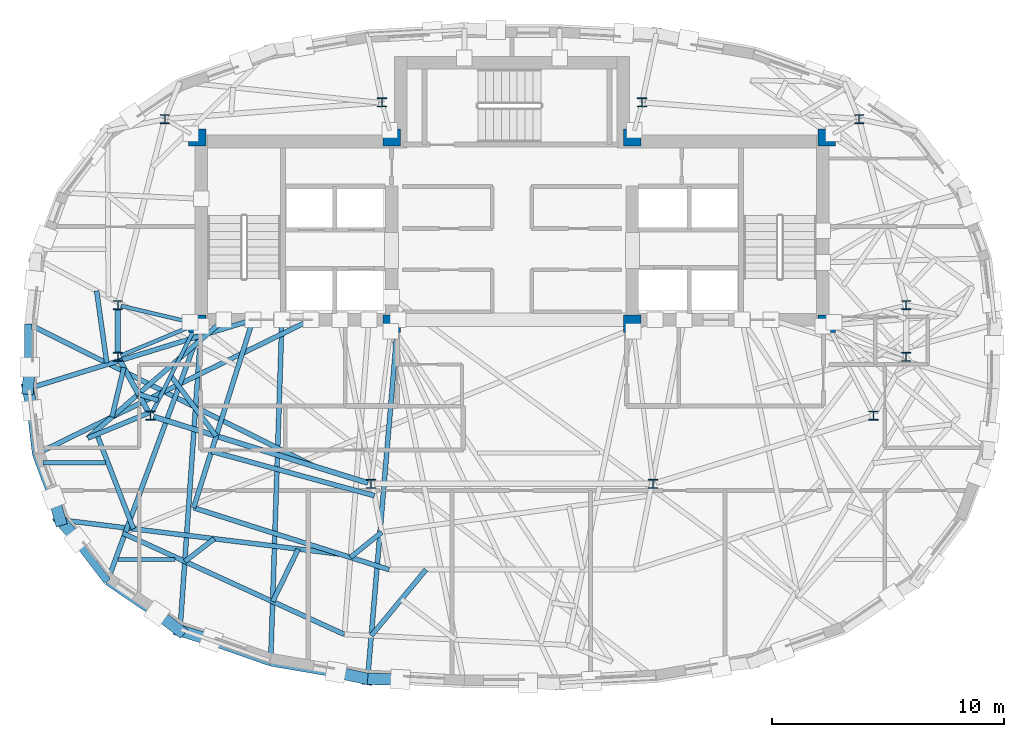
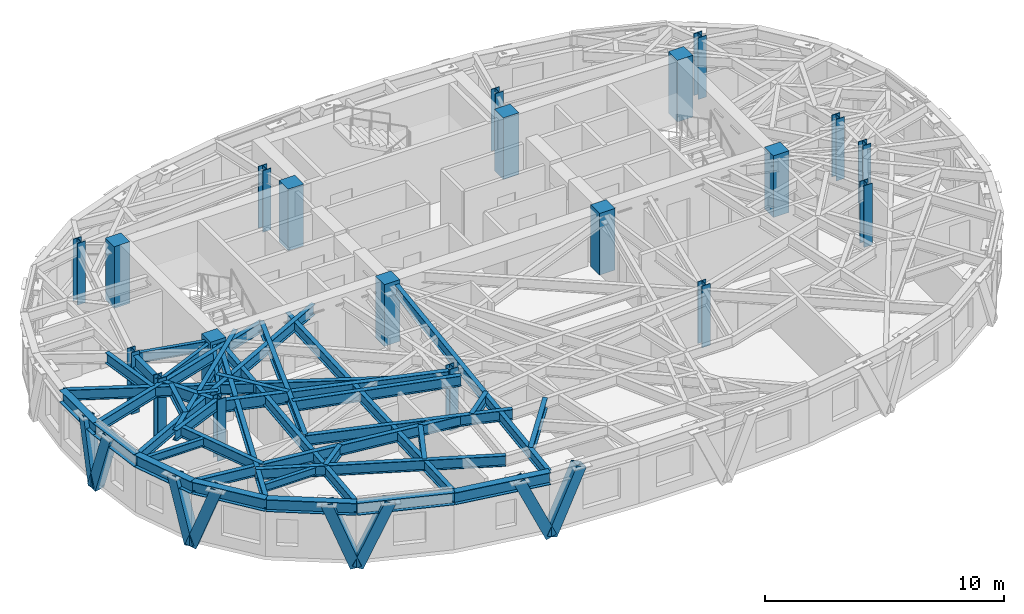
# One storey, part 1 of 12: 38 beams, 20 columns, 8 members.
"""IFC4 building model written with IfcOpenShell, lengths in metres."""

import ifcopenshell
import ifcopenshell.guid

model = None  # the IFC model being written
_history = None  # IfcOwnerHistory: only IFC2X3 demands one
_inside = {}  # id of a spatial element -> (the spatial element, [elements in it])
_under = {}  # id of a project, library or spatial element -> (it, [spatial elements below it])
_declared = {}  # id of a project -> (the project, [libraries it declares])
_typed = {}  # id of a type object -> (the type object, [elements of that type])
_made_of = {}  # id of a material, layer set ... -> (it, [elements and type objects made of it])


def new_model(schema):
    """Start an empty IFC model of exactly this schema.

    Asked for "IFC4X3", IfcOpenShell would pick the latest addendum, in which some entities
    have other attributes; the version numbers below select the first issue.
    IFC2X3 requires an IfcOwnerHistory on every rooted entity: one is made here for all.
    """
    global model, _history
    if schema == "IFC4X3":
        model = ifcopenshell.file(schema_version=(4, 3, 0, 0))
    else:
        model = ifcopenshell.file(schema=schema)
    _inside.clear()
    _under.clear()
    _declared.clear()
    _typed.clear()
    _made_of.clear()
    _history = None
    if model.schema == "IFC2X3":
        org = make("IfcOrganization", Name="unknown")
        user = make(
            "IfcPersonAndOrganization",
            ThePerson=make("IfcPerson", FamilyName="unknown"),
            TheOrganization=org,
        )
        app = make(
            "IfcApplication",
            ApplicationDeveloper=org,
            Version="unknown",
            ApplicationFullName="unknown",
            ApplicationIdentifier="unknown",
        )
        _history = make(
            "IfcOwnerHistory",
            OwningUser=user,
            OwningApplication=app,
            ChangeAction="ADDED",
            CreationDate=0,
        )
    return model


def make(cls, **values):
    """One entity of the class cls with the attributes given. An attribute that is None is left unset."""
    return model.create_entity(
        cls, **{name: value for name, value in values.items() if value is not None}
    )


def rooted(cls, **values):
    """An entity with a GlobalId (a new one), such as an element, a storey or a relation."""
    return make(cls, GlobalId=ifcopenshell.guid.new(), OwnerHistory=_history, **values)


def si_unit(unit_type, name, prefix=None):
    """IfcSIUnit, for example si_unit("LENGTHUNIT", "METRE", prefix="MILLI")."""
    return make("IfcSIUnit", UnitType=unit_type, Prefix=prefix, Name=name)


def assignment(units):
    """IfcUnitAssignment: the units of a project."""
    return None if units is None else make("IfcUnitAssignment", Units=units)


def point(xyz):
    """IfcCartesianPoint."""
    return None if xyz is None else make("IfcCartesianPoint", Coordinates=xyz)


def direction(xyz):
    """IfcDirection."""
    return None if xyz is None else make("IfcDirection", DirectionRatios=xyz)


def frame(location, z_axis=None, x_axis=None):
    """IfcAxis2Placement3D, a coordinate frame: its origin and axes. An axis left out is left unset."""
    return make(
        "IfcAxis2Placement3D",
        Location=point(location),
        Axis=direction(z_axis),
        RefDirection=direction(x_axis),
    )


def frame_2d(location, x_axis=None):
    """IfcAxis2Placement2D, a coordinate frame in the plane: its origin and x axis."""
    return make(
        "IfcAxis2Placement2D", Location=point(location), RefDirection=direction(x_axis)
    )


def origin():
    """The frame at (0, 0, 0) with its axes left unset."""
    return frame((0.0, 0.0, 0.0))


def origin_2d():
    """The frame at (0, 0) in the plane with its x axis left unset."""
    return frame_2d((0.0, 0.0))


def place(relative_to, where):
    """IfcLocalPlacement: puts the frame where relative to a parent placement (None: the world)."""
    return make(
        "IfcLocalPlacement", PlacementRelTo=relative_to, RelativePlacement=where
    )


def context(
    kind, dimensions, precision=None, world=None, true_north=None, identifier=None
):
    """IfcGeometricRepresentationContext, for example the 3D "Model" context."""
    return make(
        "IfcGeometricRepresentationContext",
        ContextIdentifier=identifier,
        ContextType=kind,
        CoordinateSpaceDimension=dimensions,
        Precision=precision,
        WorldCoordinateSystem=world,
        TrueNorth=true_north,
    )


def subcontext(parent, identifier, kind, view, scale=None):
    """IfcGeometricRepresentationSubContext, for example "Body" below "Model"."""
    return make(
        "IfcGeometricRepresentationSubContext",
        ContextIdentifier=identifier,
        ContextType=kind,
        ParentContext=parent,
        TargetScale=scale,
        TargetView=view,
    )


def project(units=None, contexts=None):
    """IfcProject with its units and contexts."""
    return rooted(
        "IfcProject",
        Name="project",
        RepresentationContexts=contexts,
        UnitsInContext=assignment(units),
    )


def spatial(cls, under=None, at=None, **own):
    """A site, building, storey or space (cls), placed at a placement, below another one or the project."""
    s = rooted(cls, ObjectPlacement=at, **own)
    if under is not None:
        _under.setdefault(under.id(), (under, []))[1].append(s)
    return s


def profile(cls, at=None, kind="AREA", **sizes):
    """A parametric profile (cls). Its sizes go by their IFC names, for example OverallWidth=200.0."""
    return make(cls, ProfileType=kind, Position=at, **sizes)


def rectangle(**sizes):
    """IfcRectangleProfileDef."""
    return profile("IfcRectangleProfileDef", **sizes)


def hollow_rectangle(**sizes):
    """IfcRectangleHollowProfileDef."""
    return profile("IfcRectangleHollowProfileDef", **sizes)


def i_section(**sizes):
    """IfcIShapeProfileDef."""
    return profile("IfcIShapeProfileDef", **sizes)


def extrude(swept, where, along, depth):
    """IfcExtrudedAreaSolid: the profile swept, set in the frame where, extruded along a direction by depth."""
    return make(
        "IfcExtrudedAreaSolid",
        SweptArea=swept,
        Position=where,
        ExtrudedDirection=direction(along),
        Depth=depth,
    )


def shape(context_of_items, identifier, shape_type, items):
    """IfcShapeRepresentation: the items that make up one representation, for example the "Body"."""
    return make(
        "IfcShapeRepresentation",
        ContextOfItems=context_of_items,
        RepresentationIdentifier=identifier,
        RepresentationType=shape_type,
        Items=items,
    )


def material(Name=None, Category=None):
    """IfcMaterial."""
    return make("IfcMaterial", Name=Name, Category=Category)


def material_profile(
    of_material, cross_section, Name=None, Category=None, Priority=None
):
    """IfcMaterialProfile: a cross section and its material."""
    return make(
        "IfcMaterialProfile",
        Name=Name,
        Material=of_material,
        Profile=cross_section,
        Priority=Priority,
        Category=Category,
    )


def profile_set(profiles, Name=None, composite=None):
    """IfcMaterialProfileSet."""
    return make(
        "IfcMaterialProfileSet",
        Name=Name,
        MaterialProfiles=profiles,
        CompositeProfile=composite,
    )


def made_of(thing, what):
    """Note that an element or type object is made of a material, layer set ...; save() writes the relation."""
    if what is not None:
        _made_of.setdefault(what.id(), (what, []))[1].append(thing)
    return thing


def type_object(cls, material=None, **own):
    """A type object (cls), such as IfcWallType, which elements share."""
    return made_of(rooted(cls, **own), material)


def element(
    cls,
    number,
    at=None,
    inside=None,
    cuts=None,
    type_object=None,
    material=None,
    context=None,
    identifier="Body",
    shape_type=None,
    held_by="IfcProductDefinitionShape",
    body=None,
    shapes=None,
    **own,
):
    """One element of the class cls, such as IfcWall. Its Tag is "e" and its number.

    at: its placement. inside: the storey or other place that contains it. cuts: it is an
    opening in that element (IfcRelVoidsElement). A single representation is given by context,
    identifier, shape_type and body (its items); several are given by shapes. held_by: the class
    of the entity that holds the representations. save() writes the other relations.
    """
    e = rooted(cls, Tag="e%d" % number, ObjectPlacement=at, **own)
    if body is not None:
        shapes = [shape(context, identifier, shape_type, body)]
    if shapes is not None:
        e.Representation = make(held_by, Representations=shapes)
    if inside is not None:
        _inside.setdefault(inside.id(), (inside, []))[1].append(e)
    if cuts is not None:
        rooted(
            "IfcRelVoidsElement", RelatingBuildingElement=cuts, RelatedOpeningElement=e
        )
    if type_object is not None:
        _typed.setdefault(type_object.id(), (type_object, []))[1].append(e)
    return made_of(e, material)


def aggregate(whole, parts):
    """IfcRelAggregates: a whole, such as a stair, and the parts it consists of."""
    return rooted("IfcRelAggregates", RelatingObject=whole, RelatedObjects=parts)


def save(model, path):
    """Write the relations noted so far, then the file.

    IfcRelAggregates (storeys below a building ...), IfcRelContainedInSpatialStructure (elements
    in a storey), IfcRelDefinesByType, IfcRelAssociatesMaterial and IfcRelDeclares: one each for
    every whole, place, type object, material and project.
    """
    for whole, parts in _under.values():
        aggregate(whole, parts)
    for where, things in _inside.values():
        rooted(
            "IfcRelContainedInSpatialStructure",
            RelatedElements=things,
            RelatingStructure=where,
        )
    for kind, things in _typed.values():
        rooted("IfcRelDefinesByType", RelatedObjects=things, RelatingType=kind)
    for what, things in _made_of.values():
        rooted("IfcRelAssociatesMaterial", RelatedObjects=things, RelatingMaterial=what)
    for by, libraries in _declared.values():
        rooted("IfcRelDeclares", RelatingContext=by, RelatedDefinitions=libraries)
    model.write(path)


model = new_model("IFC4")

# Units and contexts
model_context = context("Model", 3, precision=1e-05, world=origin(), true_north=direction((0.0, 1.0)))
body_context = subcontext(model_context, "Body", "Model", "MODEL_VIEW")
ifc_project = project(units=[si_unit("LENGTHUNIT", "METRE"), si_unit("AREAUNIT", "SQUARE_METRE"), si_unit("VOLUMEUNIT", "CUBIC_METRE"), si_unit("PLANEANGLEUNIT", "RADIAN"), si_unit("MASSUNIT", "GRAM", prefix="KILO")], contexts=[model_context])

# Site, building, storey
site_placement = place(None, origin())
site = spatial("IfcSite", under=ifc_project, at=site_placement, CompositionType="ELEMENT")
building_placement = place(site_placement, origin())
building = spatial("IfcBuilding", under=site, at=building_placement, Name="Keldmark Tower", CompositionType="ELEMENT")
storey_placement = place(building_placement, frame((0.0, 0.0, 254.10009765625)))
storey = spatial("IfcBuildingStorey", under=building, at=storey_placement, Name="L72", CompositionType="ELEMENT", Elevation=254.10009765625)

# Columns
ifc_material_1 = material(Name="Concrete C50/60", Category="concrete")
ifc_material_profile_1 = material_profile(ifc_material_1, rectangle(XDim=0.75, YDim=0.75, at=origin_2d()), Name="RC750X750")
ifc_profile_set_1 = profile_set([ifc_material_profile_1], Name="Concrete C50/60")
column_type_1 = type_object("IfcColumnType", Name="Core Boundary Column RC750", PredefinedType="PILASTER", material=ifc_profile_set_1)
for number, where, z_axis, x_axis, name in (
    (1, (-13.60009765625, 1.39990234375, 0.0), (0.0, 0.0, 1.0), (1.0, 0.0, 0.0), "L72 Core Boundary Column CC-W1"),
    (2, (-13.60009765625, 9.449951171875, 0.0), (0.0, 0.0, 1.0), (1.0, 0.0, 0.0), "L72 Core Boundary Column CC-W2"),
    (3, (-5.199951171875, 1.39990234375, 0.0), (0.0, 0.0, 1.0), (1.0, 0.0, 0.0), "L72 Core Boundary Column CC-W3"),
    (4, (-5.199951171875, 9.449951171875, 0.0), (0.0, 0.0, 1.0), (1.0, 0.0, 0.0), "L72 Core Boundary Column CC-W4"),
    (5, (5.199951171875, 1.39990234375, 0.0), (0.0, 0.0, 1.0), (1.0, 0.0, 0.0), "L72 Core Boundary Column CC-E1"),
    (6, (5.199951171875, 9.449951171875, 0.0), (0.0, 0.0, 1.0), (1.0, 0.0, 0.0), "L72 Core Boundary Column CC-E2"),
    (7, (13.60009765625, 1.39990234375, 0.0), (0.0, 0.0, 1.0), (1.0, 0.0, 0.0), "L72 Core Boundary Column CC-E3"),
    (8, (13.60009765625, 9.449951171875, 0.0), (0.0, 0.0, 1.0), (1.0, 0.0, 0.0), "L72 Core Boundary Column CC-E4"),
):
    element("IfcColumn", number, at=place(storey_placement, frame(where, z_axis=z_axis, x_axis=x_axis)), inside=storey, type_object=column_type_1, Name=name, PredefinedType="PILASTER", context=body_context, shape_type="SweptSolid", body=[
        extrude(rectangle(XDim=0.75, YDim=0.75, at=origin_2d()), origin(), (0.0, 0.0, 1.0), 3.14990234375),
    ])
ifc_material_2 = material(Name="Steel ASTM A992 Grade 50", Category="steel")
ifc_material_profile_2 = material_profile(ifc_material_2, i_section(OverallWidth=0.39892578125, OverallDepth=0.386962890625, WebThickness=0.02099609375, FlangeThickness=0.033203125, at=origin_2d()), Name="W14X176")
ifc_profile_set_2 = profile_set([ifc_material_profile_2], Name="Steel ASTM A992 Grade 50")
column_type_2 = type_object("IfcColumnType", Name="Tower Gravity Column W14X176", PredefinedType="COLUMN", material=ifc_profile_set_2)
for number, where, z_axis, x_axis, name in (
    (9, (17.025634765625, 2.2080078125, 0.0), (0.0, 0.0, 1.0), (1.0, 0.0, 0.0), "L72 Tower Gravity Column TC-E1"),
    (10, (14.995849609375, 10.24365234375, 0.0), (0.0, 0.0, 1.0), (1.0, 0.0, 0.0), "L72 Tower Gravity Column TC-E4"),
    (11, (5.61865234375, 10.967041015625, 0.0), (0.0, 0.0, 1.0), (1.0, 0.0, 0.0), "L72 Tower Gravity Column TC-N2"),
    (12, (-5.61865234375, 10.967041015625, 0.0), (0.0, 0.0, 1.0), (1.0, 0.0, 0.0), "L72 Tower Gravity Column TC-N1"),
    (13, (-14.995849609375, 10.24365234375, 0.0), (0.0, 0.0, 1.0), (1.0, 0.0, 0.0), "L72 Tower Gravity Column TC-W4"),
    (14, (-17.025634765625, 2.2080078125, 0.0), (0.0, 0.0, 1.0), (1.0, 0.0, 0.0), "L72 Tower Gravity Column TC-W1"),
    (15, (-17.025634765625, -0.02392578125, 0.0), (0.0, 0.0, 1.0), (1.0, 0.0, 0.0), "L72 Tower Gravity Column TC-W5"),
    (16, (-15.6162109375, -2.5673828125, 0.0), (0.0, 0.0, 1.0), (1.0, 0.0, 0.0), "L72 Tower Gravity Column TC-W2"),
    (17, (-6.089599609375, -5.512939453125, 0.0), (0.0, 0.0, 1.0), (1.0, 0.0, 0.0), "L72 Tower Gravity Column TC-W3"),
    (18, (6.089599609375, -5.512939453125, 0.0), (0.0, 0.0, 1.0), (1.0, 0.0, 0.0), "L72 Tower Gravity Column TC-E3"),
    (19, (15.6162109375, -2.5673828125, 0.0), (0.0, 0.0, 1.0), (1.0, 0.0, 0.0), "L72 Tower Gravity Column TC-E2"),
    (20, (17.025634765625, -0.02392578125, 0.0), (0.0, 0.0, 1.0), (1.0, 0.0, 0.0), "L72 Tower Gravity Column TC-E5"),
):
    element("IfcColumn", number, at=place(storey_placement, frame(where, z_axis=z_axis, x_axis=x_axis)), inside=storey, type_object=column_type_2, Name=name, PredefinedType="COLUMN", context=body_context, shape_type="SweptSolid", body=[
        extrude(i_section(OverallWidth=0.39892578125, OverallDepth=0.386962890625, WebThickness=0.02099609375, FlangeThickness=0.033203125, at=origin_2d()), origin(), (0.0, 0.0, 1.0), 3.14990234375),
    ])

# Beams
ifc_material_3 = material(Name="Steel ASTM A992 Grade 50", Category="steel")
ifc_material_profile_3 = material_profile(ifc_material_3, i_section(OverallWidth=0.177978515625, OverallDepth=0.403076171875, WebThickness=0.007568359375, FlangeThickness=0.010986328125, at=origin_2d()), Name="W16X36")
ifc_profile_set_3 = profile_set([ifc_material_profile_3], Name="Steel ASTM A992 Grade 50")
beam_type_1 = type_object("IfcBeamType", Name="Composite Floor Joist W16X36", PredefinedType="JOIST", material=ifc_profile_set_3)
beam_1_placement = place(storey_placement, frame((-17.026123046875, -8.780029296875, 2.768310546875), z_axis=(1.0, 0.0, 0.0), x_axis=(0.0, 1.0, 0.0)))
element("IfcBeam", 21, at=beam_1_placement, inside=storey, type_object=beam_type_1, Name="L72 Composite Floor Joist J01", PredefinedType="JOIST", context=body_context, shape_type="SweptSolid", body=[
    extrude(i_section(OverallWidth=0.177978515625, OverallDepth=0.403076171875, WebThickness=0.007568359375, FlangeThickness=0.010986328125, at=origin_2d()), origin(), (0.0, 0.0, 1.0), 2.469970703125),
])
beam_2_placement = place(storey_placement, frame((-20.2568359375, -4.60009765625, 2.768310546875), z_axis=(1.0, 0.0, 0.0), x_axis=(0.0, 1.0, 0.0)))
element("IfcBeam", 22, at=beam_2_placement, inside=storey, type_object=beam_type_1, Name="L72 Composite Floor Joist J03", PredefinedType="JOIST", context=body_context, shape_type="SweptSolid", body=[
    extrude(i_section(OverallWidth=0.177978515625, OverallDepth=0.403076171875, WebThickness=0.007568359375, FlangeThickness=0.010986328125, at=origin_2d()), origin(), (0.0, 0.0, 1.0), 2.698486328125),
])

# Members
ifc_material_4 = material(Name="Steel ASTM A572 Grade 50", Category="steel")
ifc_material_profile_4 = material_profile(ifc_material_4, hollow_rectangle(XDim=0.5, YDim=0.5, WallThickness=0.030029296875, at=origin_2d()), Name="BOX500X500X30")
ifc_profile_set_4 = profile_set([ifc_material_profile_4], Name="Steel ASTM A572 Grade 50")
member_type = type_object("IfcMemberType", Name="Diagrid Upper Brace BOX500X500X30", PredefinedType="BRACE", material=ifc_profile_set_4)
member_1_placement = place(storey_placement, frame((-20.911865234375, -1.40625, -0.260009765625), z_axis=(0.02450092812, 0.287923483517, 0.957339945976), x_axis=(-0.996398942295, 0.084788842388, 0.0)))
element("IfcMember", 23, at=member_1_placement, inside=storey, type_object=member_type, Name="L72 Perimeter Diagrid Brace 08B", PredefinedType="BRACE", context=body_context, shape_type="SweptSolid", body=[
    extrude(hollow_rectangle(XDim=0.5, YDim=0.5, WallThickness=0.030029296875, at=origin_2d()), origin(), (0.0, 0.0, 1.0), 3.24853515625),
])
member_2_placement = place(storey_placement, frame((-20.911865234375, -1.39453125, -0.260009765625), z_axis=(0.058443886893, -0.288618270701, 0.955658833425), x_axis=(0.980107507453, 0.198467311751, 0.0)))
element("IfcMember", 24, at=member_2_placement, inside=storey, type_object=member_type, Name="L72 Perimeter Diagrid Brace 09A", PredefinedType="BRACE", context=body_context, shape_type="SweptSolid", body=[
    extrude(hollow_rectangle(XDim=0.5, YDim=0.5, WallThickness=0.030029296875, at=origin_2d()), origin(), (0.0, 0.0, 1.0), 3.254150390625),
])
member_3_placement = place(storey_placement, frame((-19.516357421875, -7.076171875, -0.260009765625), z_axis=(-0.086147069868, 0.297259646633, 0.950902405527), x_axis=(-0.960479451146, -0.278350900709, 0.0)))
element("IfcMember", 25, at=member_3_placement, inside=storey, type_object=member_type, Name="L72 Perimeter Diagrid Brace 09B", PredefinedType="BRACE", context=body_context, shape_type="SweptSolid", body=[
    extrude(hollow_rectangle(XDim=0.5, YDim=0.5, WallThickness=0.030029296875, at=origin_2d()), origin(), (0.0, 0.0, 1.0), 3.2705078125),
])
member_4_placement = place(storey_placement, frame((-19.520751953125, -7.065185546875, -0.260009765625), z_axis=(0.225369749936, -0.25950327765, 0.939077485995), x_axis=(0.755016351596, 0.655705962168, 0.0)))
element("IfcMember", 26, at=member_4_placement, inside=storey, type_object=member_type, Name="L72 Perimeter Diagrid Brace 10A", PredefinedType="BRACE", context=body_context, shape_type="SweptSolid", body=[
    extrude(hollow_rectangle(XDim=0.5, YDim=0.5, WallThickness=0.030029296875, at=origin_2d()), origin(), (0.0, 0.0, 1.0), 3.3115234375),
])
member_5_placement = place(storey_placement, frame((-14.345947265625, -11.852294921875, -0.260009765625), z_axis=(-0.29668799606, 0.224028223996, 0.928325152006), x_axis=(-0.602600118446, -0.798043292841, 0.0)))
element("IfcMember", 27, at=member_5_placement, inside=storey, type_object=member_type, Name="L72 Perimeter Diagrid Brace 10B", PredefinedType="BRACE", context=body_context, shape_type="SweptSolid", body=[
    extrude(hollow_rectangle(XDim=0.5, YDim=0.5, WallThickness=0.030029296875, at=origin_2d()), origin(), (0.0, 0.0, 1.0), 3.349853515625),
])
member_6_placement = place(storey_placement, frame((-14.354248046875, -11.843994140625, -0.260009765625), z_axis=(0.396827385968, -0.121705159411, 0.90978892053), x_axis=(0.29321512236, 0.956046490512, 0.0)))
element("IfcMember", 28, at=member_6_placement, inside=storey, type_object=member_type, Name="L72 Perimeter Diagrid Brace 11A", PredefinedType="BRACE", context=body_context, shape_type="SweptSolid", body=[
    extrude(hollow_rectangle(XDim=0.5, YDim=0.5, WallThickness=0.030029296875, at=origin_2d()), origin(), (0.0, 0.0, 1.0), 3.418212890625),
])
member_7_placement = place(storey_placement, frame((-6.23193359375, -13.93896484375, -0.260009765625), z_axis=(-0.402304066373, 0.085369752967, 0.911517110897), x_axis=(-0.207579892379, -0.978218067856, 0.0)))
element("IfcMember", 29, at=member_7_placement, inside=storey, type_object=member_type, Name="L72 Perimeter Diagrid Brace 11B", PredefinedType="BRACE", context=body_context, shape_type="SweptSolid", body=[
    extrude(hollow_rectangle(XDim=0.5, YDim=0.5, WallThickness=0.030029296875, at=origin_2d()), origin(), (0.0, 0.0, 1.0), 3.411865234375),
])
member_8_placement = place(storey_placement, frame((-6.242919921875, -13.9345703125, -0.260009765625), z_axis=(0.414504381907, -0.006572630668, 0.910023580961), x_axis=(0.015854608121, 0.999874307801, 0.0)))
element("IfcMember", 30, at=member_8_placement, inside=storey, type_object=member_type, Name="L72 Perimeter Diagrid Brace 12A", PredefinedType="BRACE", context=body_context, shape_type="SweptSolid", body=[
    extrude(hollow_rectangle(XDim=0.5, YDim=0.5, WallThickness=0.030029296875, at=origin_2d()), origin(), (0.0, 0.0, 1.0), 3.417236328125),
])

# Beams
ifc_material_5 = material(Name="Steel ASTM A992 Grade 50", Category="steel")
ifc_material_profile_5 = material_profile(ifc_material_5, i_section(OverallWidth=0.22802734375, OverallDepth=0.60302734375, WebThickness=0.010498046875, FlangeThickness=0.014892578125, at=origin_2d()), Name="W24X68")
ifc_profile_set_5 = profile_set([ifc_material_profile_5], Name="Steel ASTM A992 Grade 50")
beam_type_2 = type_object("IfcBeamType", Name="Primary Floor Girder W24X68", PredefinedType="BEAM", material=ifc_profile_set_5)
beam_3_placement = place(storey_placement, frame((-17.025634765625, 2.068115234375, 2.66845703125), z_axis=(0.0, -1.0, 0.0), x_axis=(1.0, 0.0, 0.0)))
element("IfcBeam", 31, at=beam_3_placement, inside=storey, type_object=beam_type_2, Name="L72 Floor Ring Girder FG-R06", PredefinedType="BEAM", context=body_context, shape_type="SweptSolid", body=[
    extrude(i_section(OverallWidth=0.22802734375, OverallDepth=0.60302734375, WebThickness=0.010498046875, FlangeThickness=0.014892578125, at=origin_2d()), origin(), (0.0, 0.0, 1.0), 1.9521484375),
])
beam_4_placement = place(storey_placement, frame((-16.957763671875, -0.146484375, 2.66845703125), z_axis=(0.484719680408, -0.874669555561, 0.0), x_axis=(0.874669555561, 0.484719680408, 0.0)))
element("IfcBeam", 32, at=beam_4_placement, inside=storey, type_object=beam_type_2, Name="L72 Floor Ring Girder FG-R07", PredefinedType="BEAM", context=body_context, shape_type="SweptSolid", body=[
    extrude(i_section(OverallWidth=0.22802734375, OverallDepth=0.60302734375, WebThickness=0.010498046875, FlangeThickness=0.014892578125, at=origin_2d()), origin(), (0.0, 0.0, 1.0), 2.627685546875),
])
beam_5_placement = place(storey_placement, frame((-15.482421875, -2.60888671875, 2.66845703125), z_axis=(0.955383255089, -0.295368982622, 0.0), x_axis=(0.295368982622, 0.955383255089, 0.0)))
element("IfcBeam", 33, at=beam_5_placement, inside=storey, type_object=beam_type_2, Name="L72 Floor Ring Girder FG-R08", PredefinedType="BEAM", context=body_context, shape_type="SweptSolid", body=[
    extrude(i_section(OverallWidth=0.22802734375, OverallDepth=0.60302734375, WebThickness=0.010498046875, FlangeThickness=0.014892578125, at=origin_2d()), origin(), (0.0, 0.0, 1.0), 9.69140625),
])
ifc_material_6 = material(Name="Steel ASTM A992 Grade 50", Category="steel")
ifc_material_profile_6 = material_profile(ifc_material_6, i_section(OverallWidth=0.166015625, OverallDepth=0.529052734375, WebThickness=0.009765625, FlangeThickness=0.013671875, at=origin_2d()), Name="W21X50")
ifc_profile_set_6 = profile_set([ifc_material_profile_6], Name="Steel ASTM A992 Grade 50")
beam_type_3 = type_object("IfcBeamType", Name="Radial Tie Girder W21X50", PredefinedType="BEAM", material=ifc_profile_set_6)
beam_6_placement = place(storey_placement, frame((-16.889404296875, 2.17578125, 2.705322265625), z_axis=(0.97329039005, -0.229577474147, 0.0), x_axis=(0.229577474147, 0.97329039005, 0.0)))
element("IfcBeam", 34, at=beam_6_placement, inside=storey, type_object=beam_type_3, Name="L72 Floor Radial Girder FG-C06", PredefinedType="BEAM", context=body_context, shape_type="SweptSolid", body=[
    extrude(i_section(OverallWidth=0.166015625, OverallDepth=0.529052734375, WebThickness=0.009765625, FlangeThickness=0.013671875, at=origin_2d()), origin(), (0.0, 0.0, 1.0), 3.0595703125),
])
beam_7_placement = place(storey_placement, frame((-16.896240234375, 0.02978515625, 2.705322265625), z_axis=(0.923403331902, 0.383831065226, 0.0), x_axis=(-0.383831065226, 0.923403331902, 0.0)))
element("IfcBeam", 35, at=beam_7_placement, inside=storey, type_object=beam_type_3, Name="L72 Floor Radial Girder FG-C07", PredefinedType="BEAM", context=body_context, shape_type="SweptSolid", body=[
    extrude(i_section(OverallWidth=0.166015625, OverallDepth=0.529052734375, WebThickness=0.009765625, FlangeThickness=0.013671875, at=origin_2d()), origin(), (0.0, 0.0, 1.0), 3.249755859375),
])
beam_8_placement = place(storey_placement, frame((-15.552734375, -2.442626953125, 2.705322265625), z_axis=(0.453004410574, 0.89150827478, 0.0), x_axis=(-0.89150827478, 0.453004410574, 0.0)))
element("IfcBeam", 36, at=beam_8_placement, inside=storey, type_object=beam_type_3, Name="L72 Floor Radial Girder FG-C08", PredefinedType="BEAM", context=body_context, shape_type="SweptSolid", body=[
    extrude(i_section(OverallWidth=0.166015625, OverallDepth=0.529052734375, WebThickness=0.009765625, FlangeThickness=0.013671875, at=origin_2d()), origin(), (0.0, 0.0, 1.0), 3.990234375),
])
ifc_material_7 = material(Name="Steel ASTM A992 Grade 50", Category="steel")
ifc_material_profile_7 = material_profile(ifc_material_7, i_section(OverallWidth=0.2099609375, OverallDepth=0.537109375, WebThickness=0.010986328125, FlangeThickness=0.017333984375, at=origin_2d()), Name="W21X68")
ifc_profile_set_7 = profile_set([ifc_material_profile_7], Name="Steel ASTM A992 Grade 50")
beam_type_4 = type_object("IfcBeamType", Name="Radial Tie Girder W21X68", PredefinedType="BEAM", material=ifc_profile_set_7)
beam_9_placement = place(storey_placement, frame((-14.7392578125, -0.841796875, 2.701416015625), z_axis=(0.602082007756, -0.798434252732, 0.0), x_axis=(0.798434252732, 0.602082007756, 0.0)))
element("IfcBeam", 37, at=beam_9_placement, inside=storey, type_object=beam_type_4, Name="L72 Framing Pin Header PH-001", PredefinedType="BEAM", context=body_context, shape_type="SweptSolid", body=[
    extrude(i_section(OverallWidth=0.2099609375, OverallDepth=0.537109375, WebThickness=0.010986328125, FlangeThickness=0.017333984375, at=origin_2d()), origin(), (0.0, 0.0, 1.0), 3.261474609375),
])
beam_10_placement = place(storey_placement, frame((-11.19287109375, 1.574951171875, 2.701416015625), z_axis=(-0.300649645241, -0.953734654302, 0.0), x_axis=(0.953734654302, -0.300649645241, 0.0)))
element("IfcBeam", 38, at=beam_10_placement, inside=storey, type_object=beam_type_4, Name="L72 Sub-Ring Step Girder STP1-M08", PredefinedType="BEAM", context=body_context, shape_type="SweptSolid", body=[
    extrude(i_section(OverallWidth=0.2099609375, OverallDepth=0.537109375, WebThickness=0.010986328125, FlangeThickness=0.017333984375, at=origin_2d()), origin(), (0.0, 0.0, 1.0), 8.51416015625),
])
beam_11_placement = place(storey_placement, frame((-12.98486328125, -4.109130859375, 2.701416015625), z_axis=(0.96505796548, -0.262036492238, 0.0), x_axis=(0.262036492238, 0.96505796548, 0.0)))
element("IfcBeam", 39, at=beam_11_placement, inside=storey, type_object=beam_type_4, Name="L72 Framing Pin Header PH-002", PredefinedType="BEAM", context=body_context, shape_type="SweptSolid", body=[
    extrude(i_section(OverallWidth=0.2099609375, OverallDepth=0.537109375, WebThickness=0.010986328125, FlangeThickness=0.017333984375, at=origin_2d()), origin(), (0.0, 0.0, 1.0), 7.3017578125),
])
beam_12_placement = place(storey_placement, frame((-13.752685546875, -6.54541015625, 2.701416015625), z_axis=(0.953373693216, -0.301792314488, 0.0), x_axis=(0.301792314488, 0.953373693216, 0.0)))
element("IfcBeam", 40, at=beam_12_placement, inside=storey, type_object=beam_type_4, Name="L72 Perimeter Collector Ring Beam CRG1-M08", PredefinedType="BEAM", context=body_context, shape_type="SweptSolid", body=[
    extrude(i_section(OverallWidth=0.2099609375, OverallDepth=0.537109375, WebThickness=0.010986328125, FlangeThickness=0.017333984375, at=origin_2d()), origin(), (0.0, 0.0, 1.0), 8.855712890625),
])
beam_13_placement = place(storey_placement, frame((-5.628173828125, -7.59912109375, 2.701416015625), z_axis=(-0.778490587728, -0.627656279199, 0.0), x_axis=(0.627656279199, -0.778490587728, 0.0)))
element("IfcBeam", 41, at=beam_13_placement, inside=storey, type_object=beam_type_4, Name="L72 Framing Pin Header PH-005", PredefinedType="BEAM", context=body_context, shape_type="SweptSolid", body=[
    extrude(i_section(OverallWidth=0.2099609375, OverallDepth=0.537109375, WebThickness=0.010986328125, FlangeThickness=0.017333984375, at=origin_2d()), origin(), (0.0, 0.0, 1.0), 1.73681640625),
])
beam_14_placement = place(storey_placement, frame((-16.81298828125, -7.639404296875, 2.701416015625), z_axis=(0.909465955733, -0.415778396941, 0.0), x_axis=(0.415778396941, 0.909465955733, 0.0)))
element("IfcBeam", 42, at=beam_14_placement, inside=storey, type_object=beam_type_4, Name="L72 Perimeter Collector Ring Beam CRG2-M08", PredefinedType="BEAM", context=body_context, shape_type="SweptSolid", body=[
    extrude(i_section(OverallWidth=0.2099609375, OverallDepth=0.537109375, WebThickness=0.010986328125, FlangeThickness=0.017333984375, at=origin_2d()), origin(), (0.0, 0.0, 1.0), 10.52587890625),
])
beam_15_placement = place(storey_placement, frame((-17.942138671875, 2.823486328125, 2.701416015625), z_axis=(0.13930239428, -0.990249889143, 0.0), x_axis=(0.990249889143, 0.13930239428, 0.0)))
element("IfcBeam", 43, at=beam_15_placement, inside=storey, type_object=beam_type_4, Name="L72 Framing Pin Header PH-016", PredefinedType="BEAM", context=body_context, shape_type="SweptSolid", body=[
    extrude(i_section(OverallWidth=0.2099609375, OverallDepth=0.537109375, WebThickness=0.010986328125, FlangeThickness=0.017333984375, at=origin_2d()), origin(), (0.0, 0.0, 1.0), 3.14599609375),
])
beam_16_placement = place(storey_placement, frame((-8.5380859375, -4.755859375, 2.701416015625), z_axis=(-0.895183069574, 0.445698633549, 0.0), x_axis=(-0.445698633549, -0.895183069574, 0.0)))
element("IfcBeam", 44, at=beam_16_placement, inside=storey, type_object=beam_type_4, Name="L72 Perimeter Radial Tie Girder RT-16", PredefinedType="BEAM", context=body_context, shape_type="SweptSolid", body=[
    extrude(i_section(OverallWidth=0.2099609375, OverallDepth=0.537109375, WebThickness=0.010986328125, FlangeThickness=0.017333984375, at=origin_2d()), origin(), (0.0, 0.0, 1.0), 13.800537109375),
])
beam_17_placement = place(storey_placement, frame((-11.19287109375, 1.574951171875, 2.701416015625), z_axis=(-0.956177268503, -0.292788372718, 0.0), x_axis=(0.292788372718, -0.956177268503, 0.0)))
element("IfcBeam", 45, at=beam_17_placement, inside=storey, type_object=beam_type_4, Name="L72 Perimeter Radial Tie Girder RT-17", PredefinedType="BEAM", context=body_context, shape_type="SweptSolid", body=[
    extrude(i_section(OverallWidth=0.2099609375, OverallDepth=0.537109375, WebThickness=0.010986328125, FlangeThickness=0.017333984375, at=origin_2d()), origin(), (0.0, 0.0, 1.0), 10.143798828125),
])
beam_18_placement = place(storey_placement, frame((-15.281494140625, -1.908935546875, 2.701416015625), z_axis=(-0.950809969964, 0.309774758521, 0.0), x_axis=(-0.309774758521, -0.950809969964, 0.0)))
element("IfcBeam", 46, at=beam_18_placement, inside=storey, type_object=beam_type_4, Name="L72 Framing Pin Header PH-017", PredefinedType="BEAM", context=body_context, shape_type="SweptSolid", body=[
    extrude(i_section(OverallWidth=0.2099609375, OverallDepth=0.537109375, WebThickness=0.010986328125, FlangeThickness=0.017333984375, at=origin_2d()), origin(), (0.0, 0.0, 1.0), 0.897705078125),
])
beam_19_placement = place(storey_placement, frame((-12.4462890625, 1.574951171875, 2.701416015625), z_axis=(-0.754783606707, -0.655973861557, 0.0), x_axis=(0.655973861557, -0.754783606707, 0.0)))
element("IfcBeam", 47, at=beam_19_placement, inside=storey, type_object=beam_type_4, Name="L72 Intermediate Radial Step Girder RT-18M", PredefinedType="BEAM", context=body_context, shape_type="SweptSolid", body=[
    extrude(i_section(OverallWidth=0.2099609375, OverallDepth=0.537109375, WebThickness=0.010986328125, FlangeThickness=0.017333984375, at=origin_2d()), origin(), (0.0, 0.0, 1.0), 7.79052734375),
])
beam_20_placement = place(storey_placement, frame((-15.68408203125, -2.44482421875, 2.701416015625), z_axis=(-0.924362937769, -0.381514297608, 0.0), x_axis=(0.381514297608, -0.924362937769, 0.0)))
element("IfcBeam", 48, at=beam_20_placement, inside=storey, type_object=beam_type_4, Name="L72 Local Collector Chord RT-18C", PredefinedType="BEAM", context=body_context, shape_type="SweptSolid", body=[
    extrude(i_section(OverallWidth=0.2099609375, OverallDepth=0.537109375, WebThickness=0.010986328125, FlangeThickness=0.017333984375, at=origin_2d()), origin(), (0.0, 0.0, 1.0), 2.858642578125),
])
beam_21_placement = place(storey_placement, frame((-16.7666015625, -0.4912109375, 2.701416015625), z_axis=(-0.233255098899, -0.972415579286, 0.0), x_axis=(0.972415579286, -0.233255098899, 0.0)))
element("IfcBeam", 49, at=beam_21_placement, inside=storey, type_object=beam_type_4, Name="L72 Framing Pin Header PH-018", PredefinedType="BEAM", context=body_context, shape_type="SweptSolid", body=[
    extrude(i_section(OverallWidth=0.2099609375, OverallDepth=0.537109375, WebThickness=0.010986328125, FlangeThickness=0.017333984375, at=origin_2d()), origin(), (0.0, 0.0, 1.0), 2.19384765625),
])
beam_22_placement = place(storey_placement, frame((-8.685791015625, 1.574951171875, 2.701416015625), z_axis=(-0.898439585663, -0.439097154299, 0.0), x_axis=(0.439097154299, -0.898439585663, 0.0)))
element("IfcBeam", 50, at=beam_22_placement, inside=storey, type_object=beam_type_4, Name="L72 Perimeter Radial Tie Girder RT-18", PredefinedType="BEAM", context=body_context, shape_type="SweptSolid", body=[
    extrude(i_section(OverallWidth=0.2099609375, OverallDepth=0.537109375, WebThickness=0.010986328125, FlangeThickness=0.017333984375, at=origin_2d()), origin(), (0.0, 0.0, 1.0), 13.216796875),
])
beam_23_placement = place(storey_placement, frame((-17.93017578125, -3.371826171875, 2.701416015625), z_axis=(0.360701476865, -0.932681319952, 0.0), x_axis=(0.932681319952, 0.360701476865, 0.0)))
element("IfcBeam", 51, at=beam_23_placement, inside=storey, type_object=beam_type_4, Name="L72 Framing Pin Header PH-019", PredefinedType="BEAM", context=body_context, shape_type="SweptSolid", body=[
    extrude(i_section(OverallWidth=0.2099609375, OverallDepth=0.537109375, WebThickness=0.010986328125, FlangeThickness=0.017333984375, at=origin_2d()), origin(), (0.0, 0.0, 1.0), 4.377197265625),
])
beam_24_placement = place(storey_placement, frame((-7.42041015625, -8.5498046875, 2.701416015625), z_axis=(-0.992560047388, 0.121756118238, 0.0), x_axis=(-0.121756118238, -0.992560047388, 0.0)))
element("IfcBeam", 52, at=beam_24_placement, inside=storey, type_object=beam_type_4, Name="L72 Perimeter Radial Tie Girder RT-19", PredefinedType="BEAM", context=body_context, shape_type="SweptSolid", body=[
    extrude(i_section(OverallWidth=0.2099609375, OverallDepth=0.537109375, WebThickness=0.010986328125, FlangeThickness=0.017333984375, at=origin_2d()), origin(), (0.0, 0.0, 1.0), 12.17333984375),
])
beam_25_placement = place(storey_placement, frame((-13.425048828125, 1.300048828125, 2.701416015625), z_axis=(-0.344882505307, -0.938645863749, 0.0), x_axis=(0.938645863749, -0.344882505307, 0.0)))
element("IfcBeam", 53, at=beam_25_placement, inside=storey, type_object=beam_type_4, Name="L72 Perimeter Radial Tie Girder RT-20", PredefinedType="BEAM", context=body_context, shape_type="SweptSolid", body=[
    extrude(i_section(OverallWidth=0.2099609375, OverallDepth=0.537109375, WebThickness=0.010986328125, FlangeThickness=0.017333984375, at=origin_2d()), origin(), (0.0, 0.0, 1.0), 11.743896484375),
])
beam_26_placement = place(storey_placement, frame((-12.857666015625, -7.8828125, 2.701416015625), z_axis=(-0.792680361594, -0.609637469602, 0.0), x_axis=(0.609637469602, -0.792680361594, 0.0)))
element("IfcBeam", 54, at=beam_26_placement, inside=storey, type_object=beam_type_4, Name="L72 Framing Pin Header PH-020", PredefinedType="BEAM", context=body_context, shape_type="SweptSolid", body=[
    extrude(i_section(OverallWidth=0.2099609375, OverallDepth=0.537109375, WebThickness=0.010986328125, FlangeThickness=0.017333984375, at=origin_2d()), origin(), (0.0, 0.0, 1.0), 1.60986328125),
])
beam_27_placement = place(storey_placement, frame((-13.425048828125, 1.300048828125, 2.701416015625), z_axis=(-0.069556679065, -0.99757800116, 0.0), x_axis=(0.99757800116, -0.069556679065, 0.0)))
element("IfcBeam", 55, at=beam_27_placement, inside=storey, type_object=beam_type_4, Name="L72 Perimeter Radial Tie Girder RT-21", PredefinedType="BEAM", context=body_context, shape_type="SweptSolid", body=[
    extrude(i_section(OverallWidth=0.2099609375, OverallDepth=0.537109375, WebThickness=0.010986328125, FlangeThickness=0.017333984375, at=origin_2d()), origin(), (0.0, 0.0, 1.0), 13.179931640625),
])
beam_28_placement = place(storey_placement, frame((-9.23291015625, -8.327392578125, 2.701416015625), z_axis=(-0.437602971247, -0.899168304355, 0.0), x_axis=(0.899168304355, -0.437602971247, 0.0)))
element("IfcBeam", 56, at=beam_28_placement, inside=storey, type_object=beam_type_4, Name="L72 Framing Pin Header PH-021", PredefinedType="BEAM", context=body_context, shape_type="SweptSolid", body=[
    extrude(i_section(OverallWidth=0.2099609375, OverallDepth=0.537109375, WebThickness=0.010986328125, FlangeThickness=0.017333984375, at=origin_2d()), origin(), (0.0, 0.0, 1.0), 2.52685546875),
])
beam_29_placement = place(storey_placement, frame((-9.939208984375, 1.574951171875, 2.701416015625), z_axis=(-0.032797629907, -0.999462013021, 0.0), x_axis=(0.999462013021, -0.032797629907, 0.0)))
element("IfcBeam", 57, at=beam_29_placement, inside=storey, type_object=beam_type_4, Name="L72 Perimeter Radial Tie Girder RT-22", PredefinedType="BEAM", context=body_context, shape_type="SweptSolid", body=[
    extrude(i_section(OverallWidth=0.2099609375, OverallDepth=0.537109375, WebThickness=0.010986328125, FlangeThickness=0.017333984375, at=origin_2d()), origin(), (0.0, 0.0, 1.0), 14.805908203125),
])
beam_30_placement = place(storey_placement, frame((-3.716796875, -9.218017578125, 2.701416015625), z_axis=(-0.637782198899, -0.770216766091, 0.0), x_axis=(0.770216766091, -0.637782198899, 0.0)))
element("IfcBeam", 58, at=beam_30_placement, inside=storey, type_object=beam_type_4, Name="L72 Framing Pin Header PH-022", PredefinedType="BEAM", context=body_context, shape_type="SweptSolid", body=[
    extrude(i_section(OverallWidth=0.2099609375, OverallDepth=0.537109375, WebThickness=0.010986328125, FlangeThickness=0.017333984375, at=origin_2d()), origin(), (0.0, 0.0, 1.0), 3.70361328125),
])
beam_31_placement = place(storey_placement, frame((-4.925048828125, 1.574951171875, 2.701416015625), z_axis=(-0.084249657767, -0.996444677424, 0.0), x_axis=(0.996444677424, -0.084249657767, 0.0)))
element("IfcBeam", 59, at=beam_31_placement, inside=storey, type_object=beam_type_4, Name="L72 Perimeter Radial Tie Girder RT-23", PredefinedType="BEAM", context=body_context, shape_type="SweptSolid", body=[
    extrude(i_section(OverallWidth=0.2099609375, OverallDepth=0.537109375, WebThickness=0.010986328125, FlangeThickness=0.017333984375, at=origin_2d()), origin(), (0.0, 0.0, 1.0), 15.570068359375),
])
ifc_material_8 = material(Name="Steel ASTM A992 Grade 50", Category="steel")
ifc_material_profile_8 = material_profile(ifc_material_8, i_section(OverallWidth=0.326904296875, OverallDepth=0.6220703125, WebThickness=0.015380859375, FlangeThickness=0.0244140625, at=origin_2d()), Name="W24X131")
ifc_profile_set_8 = profile_set([ifc_material_profile_8], Name="Steel ASTM A992 Grade 50")
beam_type_5 = type_object("IfcBeamType", Name="Spandrel Ring Beam W24X131", PredefinedType="SPANDREL", material=ifc_profile_set_8)
beam_32_placement = place(storey_placement, frame((-20.89208984375, 1.39501953125, 2.658935546875), z_axis=(0.0, -1.0, 0.0), x_axis=(1.0, 0.0, 0.0)))
element("IfcBeam", 60, at=beam_32_placement, inside=storey, type_object=beam_type_5, Name="L72 Perimeter Spandrel Ring Beam SRB-16", PredefinedType="SPANDREL", context=body_context, shape_type="SweptSolid", body=[
    extrude(i_section(OverallWidth=0.326904296875, OverallDepth=0.6220703125, WebThickness=0.015380859375, FlangeThickness=0.0244140625, at=origin_2d()), origin(), (0.0, 0.0, 1.0), 2.7900390625),
])
beam_33_placement = place(storey_placement, frame((-20.89208984375, -1.39501953125, 2.658935546875), z_axis=(0.116300017341, -0.99321412896, 0.0), x_axis=(0.99321412896, 0.116300017341, 0.0)))
element("IfcBeam", 61, at=beam_33_placement, inside=storey, type_object=beam_type_5, Name="L72 Perimeter Spandrel Ring Beam SRB-17", PredefinedType="SPANDREL", context=body_context, shape_type="SweptSolid", body=[
    extrude(i_section(OverallWidth=0.326904296875, OverallDepth=0.6220703125, WebThickness=0.015380859375, FlangeThickness=0.0244140625, at=origin_2d()), origin(), (0.0, 0.0, 1.0), 2.852783203125),
])
beam_34_placement = place(storey_placement, frame((-20.560302734375, -4.228515625, 2.658935546875), z_axis=(0.348941123734, -0.937144648476, 0.0), x_axis=(0.937144648476, 0.348941123734, 0.0)))
element("IfcBeam", 62, at=beam_34_placement, inside=storey, type_object=beam_type_5, Name="L72 Perimeter Spandrel Ring Beam SRB-18", PredefinedType="SPANDREL", context=body_context, shape_type="SweptSolid", body=[
    extrude(i_section(OverallWidth=0.326904296875, OverallDepth=0.6220703125, WebThickness=0.015380859375, FlangeThickness=0.0244140625, at=origin_2d()), origin(), (0.0, 0.0, 1.0), 3.029541015625),
])
beam_35_placement = place(storey_placement, frame((-19.503173828125, -7.067626953125, 2.658935546875), z_axis=(0.606875003028, -0.794797289061, 0.0), x_axis=(0.794797289061, 0.606875003028, 0.0)))
element("IfcBeam", 63, at=beam_35_placement, inside=storey, type_object=beam_type_5, Name="L72 Perimeter Spandrel Ring Beam SRB-19", PredefinedType="SPANDREL", context=body_context, shape_type="SweptSolid", body=[
    extrude(i_section(OverallWidth=0.326904296875, OverallDepth=0.6220703125, WebThickness=0.015380859375, FlangeThickness=0.0244140625, at=origin_2d()), origin(), (0.0, 0.0, 1.0), 3.341552734375),
])
beam_36_placement = place(storey_placement, frame((-17.475341796875, -9.723388671875, 2.658935546875), z_axis=(0.827699359908, -0.561171782619, 0.0), x_axis=(0.561171782619, 0.827699359908, 0.0)))
element("IfcBeam", 64, at=beam_36_placement, inside=storey, type_object=beam_type_5, Name="L72 Perimeter Spandrel Ring Beam SRB-20", PredefinedType="SPANDREL", context=body_context, shape_type="SweptSolid", body=[
    extrude(i_section(OverallWidth=0.326904296875, OverallDepth=0.6220703125, WebThickness=0.015380859375, FlangeThickness=0.0244140625, at=origin_2d()), origin(), (0.0, 0.0, 1.0), 3.785888671875),
])
beam_37_placement = place(storey_placement, frame((-14.341796875, -11.847900390625, 2.658935546875), z_axis=(0.943553556345, -0.331219996842, 0.0), x_axis=(0.331219996842, 0.943553556345, 0.0)))
element("IfcBeam", 65, at=beam_37_placement, inside=storey, type_object=beam_type_5, Name="L72 Perimeter Spandrel Ring Beam SRB-21", PredefinedType="SPANDREL", context=body_context, shape_type="SweptSolid", body=[
    extrude(i_section(OverallWidth=0.326904296875, OverallDepth=0.6220703125, WebThickness=0.015380859375, FlangeThickness=0.0244140625, at=origin_2d()), origin(), (0.0, 0.0, 1.0), 4.1513671875),
])
beam_38_placement = place(storey_placement, frame((-10.4248046875, -13.222900390625, 2.658935546875), z_axis=(0.985667057966, -0.168702254995, 0.0), x_axis=(0.168702254995, 0.985667057966, 0.0)))
element("IfcBeam", 66, at=beam_38_placement, inside=storey, type_object=beam_type_5, Name="L72 Perimeter Spandrel Ring Beam SRB-22", PredefinedType="SPANDREL", context=body_context, shape_type="SweptSolid", body=[
    extrude(i_section(OverallWidth=0.326904296875, OverallDepth=0.6220703125, WebThickness=0.015380859375, FlangeThickness=0.0244140625, at=origin_2d()), origin(), (0.0, 0.0, 1.0), 4.248779296875),
])

save(model, "model.ifc")
